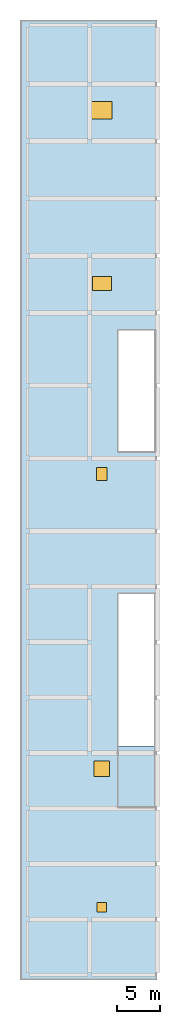
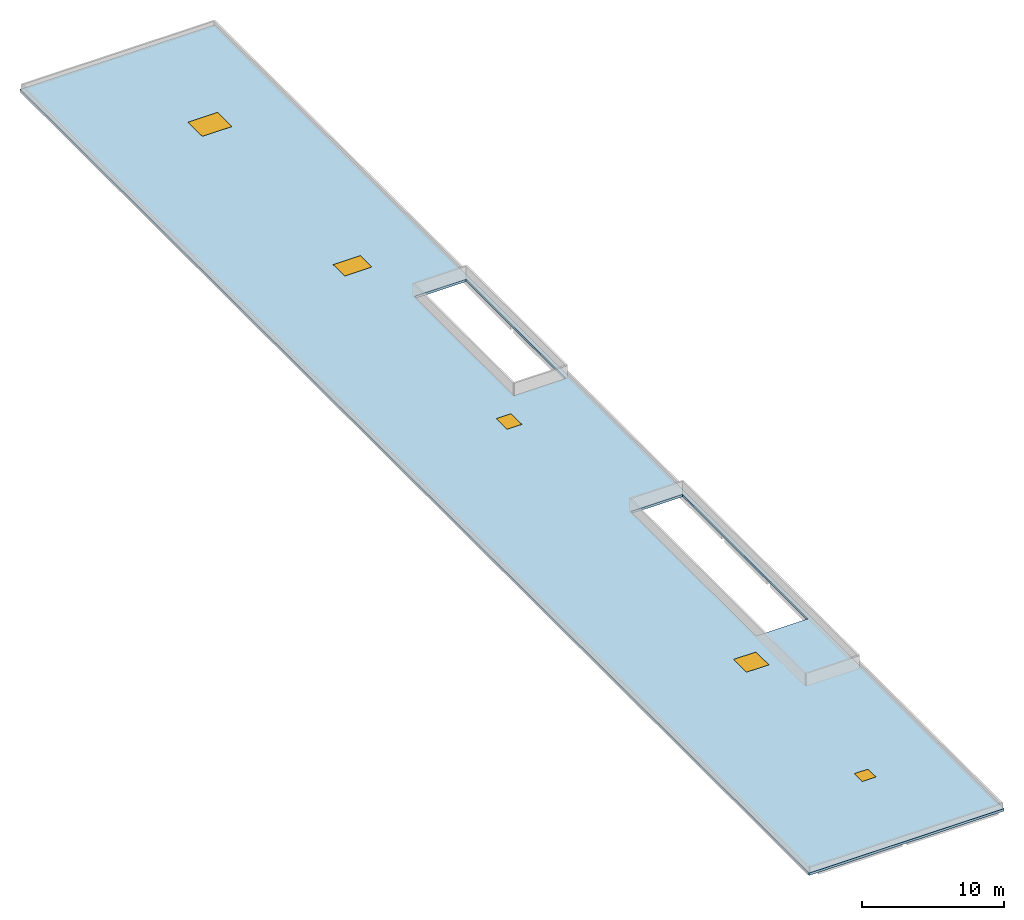
# One storey, part 2 of 3: 5 windows, 1 slab, 5 openings.
"""IFC4 building model written with IfcOpenShell, lengths in metres."""

from ifc_helpers import new_model, si_unit, derived_unit, direction, frame, origin, origin_2d, place, context, subcontext, project, spatial, polyline, rectangle, outline, extrude, material, layer, layer_set, type_object, element, fill, save


model = new_model("IFC4")

# Units and contexts
model_context = context("Model", 3, precision=1e-05, world=origin(), true_north=direction((0.0, 1.0)))
body_context = subcontext(model_context, "Body", "Model", "MODEL_VIEW")
ifc_project = project(units=[si_unit("LENGTHUNIT", "METRE"), si_unit("AREAUNIT", "SQUARE_METRE"), si_unit("VOLUMEUNIT", "CUBIC_METRE"), si_unit("PLANEANGLEUNIT", "RADIAN"), si_unit("MASSUNIT", "GRAM", prefix="KILO"), derived_unit("THERMALTRANSMITTANCEUNIT", [(si_unit("POWERUNIT", "WATT"), 1), (si_unit("LENGTHUNIT", "METRE"), -2), (si_unit("THERMODYNAMICTEMPERATUREUNIT", "KELVIN"), -1)])], contexts=[model_context])

# Site, building, storey
site_placement = place(None, origin())
site = spatial("IfcSite", under=ifc_project, at=site_placement, CompositionType="ELEMENT")
building_placement = place(site_placement, origin())
building = spatial("IfcBuilding", under=site, at=building_placement, Name="Braskholm Square Health Centre", CompositionType="ELEMENT")
storey_placement = place(building_placement, frame((0.0, 0.0, 25.64990234375)))
storey = spatial("IfcBuildingStorey", under=building, at=storey_placement, Name="ROOF", CompositionType="ELEMENT", Elevation=25.64990234375)

# Slab, openings, windows
ifc_material_1 = material(Name="Precast concrete C40/50 architectural white", Category="concrete")
ifc_layer = layer(ifc_material_1, 0.2099609375)
ifc_layer_set = layer_set([ifc_layer], Name="Precast concrete C40/50 architectural white")
slab_type = type_object("IfcSlabType", Name="PitchedAndCrownRoofSlab150", PredefinedType="ROOF", material=ifc_layer_set)
slab_placement = place(storey_placement, frame((0.0, 0.0, -0.2099609375)))
slab = element("IfcSlab", 1, at=slab_placement, inside=storey, type_object=slab_type, Name="Level ROOF West wing thin flat crowning frame roof slab", PredefinedType="ROOF", context=body_context, shape_type="SweptSolid", body=[
    extrude(outline(polyline([(3.39990234375, 3.60009765625), (19.199951171875, 3.60009765625), (19.199951171875, 114.39990234375), (3.39990234375, 114.39990234375), (3.39990234375, 3.60009765625)]), holes=[polyline([(14.699951171875, 30.60009765625), (18.89990234375, 30.60009765625), (18.89990234375, 48.199951171875), (14.699951171875, 48.199951171875), (14.699951171875, 30.60009765625)]), polyline([(14.699951171875, 64.60009765625), (18.89990234375, 64.60009765625), (18.89990234375, 78.60009765625), (14.699951171875, 78.60009765625), (14.699951171875, 64.60009765625)])]), origin(), (0.0, 0.0, 1.0), 0.2099609375),
])
opening_1_placement = place(slab_placement, frame((12.800048828125, 12.0, 0.0)))
opening_1 = element("IfcOpeningElement", 2, at=opening_1_placement, cuts=slab, Name="Opening RH-01", PredefinedType="OPENING", context=body_context, shape_type="SweptSolid", body=[
    extrude(rectangle(XDim=1.10009765625, YDim=1.10009765625, at=origin_2d()), frame((0.0, 0.0, -0.010009765625)), (0.0, 0.0, 1.0), 0.22998046875),
])
opening_2_placement = place(slab_placement, frame((12.800048828125, 62.0, 0.0)))
opening_2 = element("IfcOpeningElement", 3, at=opening_2_placement, cuts=slab, Name="Opening RH-02", PredefinedType="OPENING", context=body_context, shape_type="SweptSolid", body=[
    extrude(rectangle(XDim=1.199951171875, YDim=1.5, at=origin_2d()), frame((0.0, 0.0, -0.010009765625)), (0.0, 0.0, 1.0), 0.22998046875),
])
opening_3_placement = place(slab_placement, frame((12.800048828125, 28.0, 0.0)))
opening_3 = element("IfcOpeningElement", 4, at=opening_3_placement, cuts=slab, Name="Opening SK-01", PredefinedType="OPENING", context=body_context, shape_type="SweptSolid", body=[
    extrude(rectangle(XDim=1.800048828125, YDim=1.800048828125, at=origin_2d()), frame((0.0, 0.0, -0.010009765625)), (0.0, 0.0, 1.0), 0.22998046875),
])
opening_4_placement = place(slab_placement, frame((12.800048828125, 84.0, 0.0)))
opening_4 = element("IfcOpeningElement", 5, at=opening_4_placement, cuts=slab, Name="Opening SK-02", PredefinedType="OPENING", context=body_context, shape_type="SweptSolid", body=[
    extrude(rectangle(XDim=2.199951171875, YDim=1.60009765625, at=origin_2d()), frame((0.0, 0.0, -0.010009765625)), (0.0, 0.0, 1.0), 0.22998046875),
])
opening_5_placement = place(slab_placement, frame((12.800048828125, 104.0, 0.0)))
opening_5 = element("IfcOpeningElement", 6, at=opening_5_placement, cuts=slab, Name="Opening SK-03", PredefinedType="OPENING", context=body_context, shape_type="SweptSolid", body=[
    extrude(rectangle(XDim=2.39990234375, YDim=2.0, at=origin_2d()), frame((0.0, 0.0, -0.010009765625)), (0.0, 0.0, 1.0), 0.22998046875),
])
ifc_material_2 = material(Name="Low-E triple insulating glass (VLT 0.64)", Category="glass")
window_type_1 = type_object("IfcWindowType", Name="SkylightConservatory2400x2000", PartitioningType="SINGLE_PANEL", PredefinedType="SKYLIGHT", material=ifc_material_2)
window_1_placement = place(opening_5_placement, frame((0.0, 0.0, 0.159912109375)))
window_1 = element("IfcWindow", 7, at=window_1_placement, inside=storey, type_object=window_type_1, Name="Rooftop skylight 005", OverallHeight=2.0, OverallWidth=2.39990234375, PartitioningType="SINGLE_PANEL", PredefinedType="SKYLIGHT", context=body_context, shape_type="SweptSolid", body=[
    extrude(rectangle(XDim=2.39990234375, YDim=2.0, at=origin_2d()), origin(), (0.0, 0.0, 1.0), 0.050048828125),
])
fill(opening_5, window_1)
window_type_2 = type_object("IfcWindowType", Name="SkylightDaylightWell1800x1800", PartitioningType="SINGLE_PANEL", PredefinedType="SKYLIGHT", material=ifc_material_2)
window_2_placement = place(opening_3_placement, frame((0.0, 0.0, 0.159912109375)))
window_2 = element("IfcWindow", 8, at=window_2_placement, inside=storey, type_object=window_type_2, Name="Rooftop skylight 003", OverallHeight=1.800048828125, OverallWidth=1.800048828125, PartitioningType="SINGLE_PANEL", PredefinedType="SKYLIGHT", context=body_context, shape_type="SweptSolid", body=[
    extrude(rectangle(XDim=1.800048828125, YDim=1.800048828125, at=origin_2d()), origin(), (0.0, 0.0, 1.0), 0.050048828125),
])
fill(opening_3, window_2)
window_type_3 = type_object("IfcWindowType", Name="SkylightDaylightWell2200x1600", PartitioningType="SINGLE_PANEL", PredefinedType="SKYLIGHT", material=ifc_material_2)
window_3_placement = place(opening_4_placement, frame((0.0, 0.0, 0.159912109375)))
window_3 = element("IfcWindow", 9, at=window_3_placement, inside=storey, type_object=window_type_3, Name="Rooftop skylight 004", OverallHeight=1.60009765625, OverallWidth=2.199951171875, PartitioningType="SINGLE_PANEL", PredefinedType="SKYLIGHT", context=body_context, shape_type="SweptSolid", body=[
    extrude(rectangle(XDim=2.199951171875, YDim=1.60009765625, at=origin_2d()), origin(), (0.0, 0.0, 1.0), 0.050048828125),
])
fill(opening_4, window_3)
window_type_4 = type_object("IfcWindowType", Name="SkylightRoofHatch1100x1100", PartitioningType="SINGLE_PANEL", PredefinedType="SKYLIGHT", material=ifc_material_2)
window_4_placement = place(opening_1_placement, frame((0.0, 0.0, 0.159912109375)))
window_4 = element("IfcWindow", 10, at=window_4_placement, inside=storey, type_object=window_type_4, Name="Rooftop skylight 001", OverallHeight=1.10009765625, OverallWidth=1.10009765625, PartitioningType="SINGLE_PANEL", PredefinedType="SKYLIGHT", context=body_context, shape_type="SweptSolid", body=[
    extrude(rectangle(XDim=1.10009765625, YDim=1.10009765625, at=origin_2d()), origin(), (0.0, 0.0, 1.0), 0.050048828125),
])
fill(opening_1, window_4)
window_type_5 = type_object("IfcWindowType", Name="SkylightRoofHatch1200x1500", PartitioningType="SINGLE_PANEL", PredefinedType="SKYLIGHT", material=ifc_material_2)
window_5_placement = place(opening_2_placement, frame((0.0, 0.0, 0.159912109375)))
window_5 = element("IfcWindow", 11, at=window_5_placement, inside=storey, type_object=window_type_5, Name="Rooftop skylight 002", OverallHeight=1.5, OverallWidth=1.199951171875, PartitioningType="SINGLE_PANEL", PredefinedType="SKYLIGHT", context=body_context, shape_type="SweptSolid", body=[
    extrude(rectangle(XDim=1.199951171875, YDim=1.5, at=origin_2d()), origin(), (0.0, 0.0, 1.0), 0.050048828125),
])
fill(opening_2, window_5)

save(model, "model.ifc")
